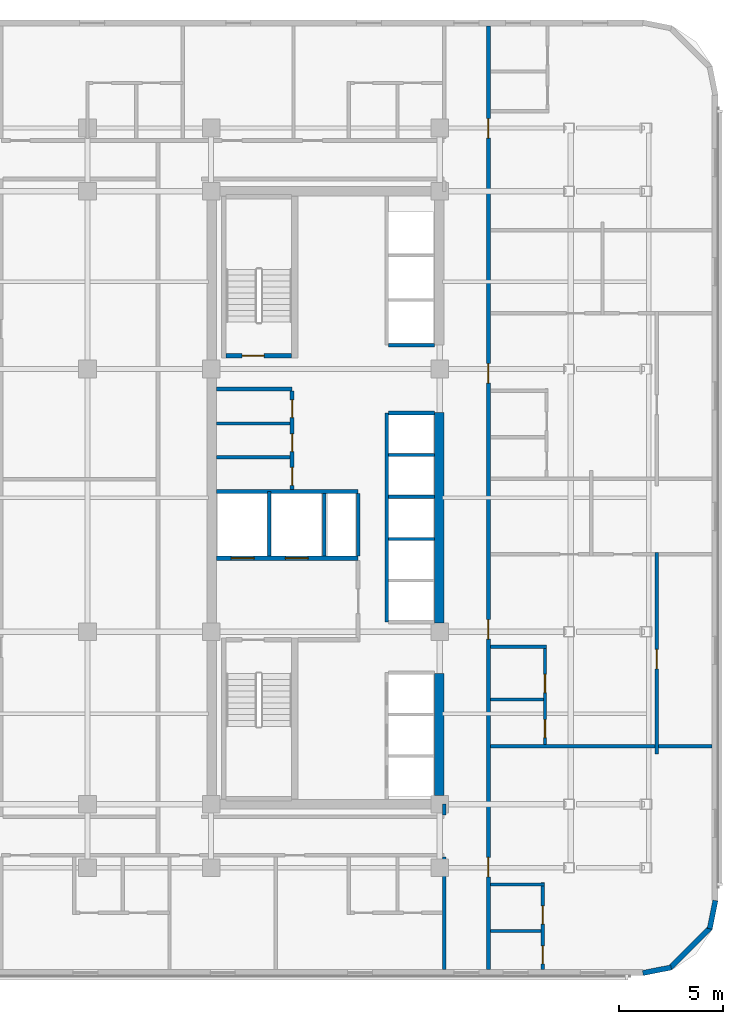
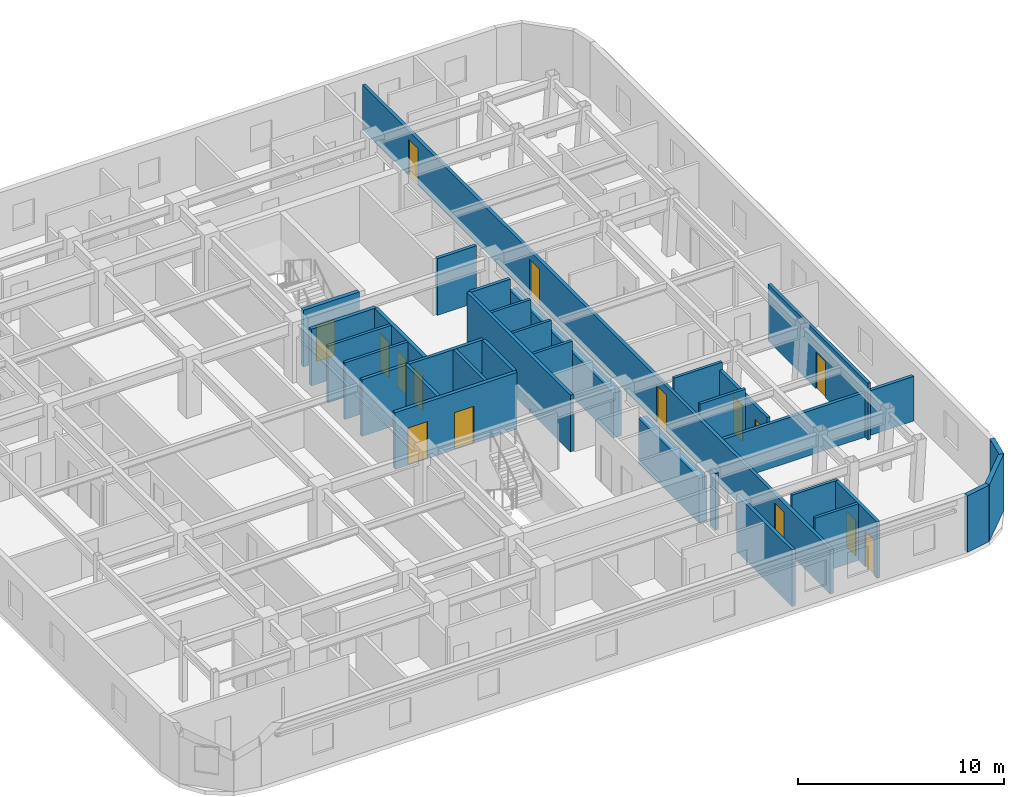
# One storey, part 8 of 14: 32 walls, 15 doors, 15 openings.
"""IFC4 building model written with IfcOpenShell, lengths in metres."""

from ifc_helpers import new_model, si_unit, direction, frame, frame_2d, origin, place, context, subcontext, project, spatial, rectangle, extrude, material, layer, layer_set, type_object, element, fill, save


model = new_model("IFC4")

# Units and contexts
model_context = context("Model", 3, precision=1e-05, world=origin(), true_north=direction((0.0, 1.0)))
body_context = subcontext(model_context, "Body", "Model", "MODEL_VIEW")
ifc_project = project(units=[si_unit("LENGTHUNIT", "METRE"), si_unit("AREAUNIT", "SQUARE_METRE"), si_unit("VOLUMEUNIT", "CUBIC_METRE"), si_unit("PLANEANGLEUNIT", "RADIAN"), si_unit("MASSUNIT", "GRAM", prefix="KILO")], contexts=[model_context])

# Site, building, storey
site_placement = place(None, origin())
site = spatial("IfcSite", under=ifc_project, at=site_placement, CompositionType="ELEMENT")
building_placement = place(site_placement, origin())
building = spatial("IfcBuilding", under=site, at=building_placement, Name="Ochreholt Gables", CompositionType="ELEMENT")
storey_placement = place(building_placement, frame((0.0, 0.0, 42.0)))
storey = spatial("IfcBuildingStorey", under=building, at=storey_placement, Name="L10", CompositionType="ELEMENT", Elevation=42.0)

# Walls
ifc_material_1 = material(Name="Concrete 60 MPa", Category="concrete")
ifc_layer_1 = layer(ifc_material_1, 0.449951171875, Name="Concrete 60 MPa")
ifc_layer_set_1 = layer_set([ifc_layer_1], Name="Concrete 60 MPa")
wall_type_1 = type_object("IfcWallType", Name="WALL-CSW-450", PredefinedType="SHEAR", material=ifc_layer_set_1)
wall_1_placement = place(storey_placement, frame((35.175048828125, 9.675048828125, 0.0), z_axis=(0.0, 0.0, 1.0), x_axis=(0.0, 1.0, 0.0)))
element("IfcWall", 1, at=wall_1_placement, inside=storey, type_object=wall_type_1, Name="L10 Core South-East Shear Wall", PredefinedType="SHEAR", context=body_context, shape_type="SweptSolid", body=[
    extrude(rectangle(XDim=5.875, YDim=0.449951171875, at=frame_2d((2.9375, 0.0))), origin(), (0.0, 0.0, 1.0), 2.6669921875),
])
wall_2_placement = place(storey_placement, frame((35.175048828125, 17.97509765625, 0.0), z_axis=(0.0, 0.0, 1.0), x_axis=(0.0, 1.0, 0.0)))
element("IfcWall", 2, at=wall_2_placement, inside=storey, type_object=wall_type_1, Name="L10 Core Central-East Shear Wall", PredefinedType="SHEAR", context=body_context, shape_type="SweptSolid", body=[
    extrude(rectangle(XDim=10.125, YDim=0.449951171875, at=frame_2d((5.0625, 0.0))), origin(), (0.0, 0.0, 1.0), 2.6669921875),
])
ifc_material_2 = material(Name="Precast concrete 40 MPa", Category="concrete")
ifc_layer_2 = layer(ifc_material_2, 0.25, Name="Precast concrete 40 MPa")
ifc_layer_set_2 = layer_set([ifc_layer_2], Name="Precast concrete 40 MPa")
wall_type_2 = type_object("IfcWallType", Name="WALL-EXT-CNR", PredefinedType="SOLIDWALL", material=ifc_layer_set_2)
wall_3_placement = place(storey_placement, frame((44.9833984375, 1.124267578125, 0.0), z_axis=(0.0, 0.0, 1.0), x_axis=(0.980809899341, 0.19496651342, 0.0)))
element("IfcWall", 3, at=wall_3_placement, inside=storey, type_object=wall_type_2, Name="L10 Rounded Corner Wall SE-1", PredefinedType="SOLIDWALL", context=body_context, shape_type="SweptSolid", body=[
    extrude(rectangle(XDim=1.388671875, YDim=0.25, at=frame_2d((0.6943359375, 0.0))), origin(), (0.0, 0.0, 1.0), 3.360107421875),
])
wall_4_placement = place(storey_placement, frame((46.294921875, 1.367919921875, 0.0), z_axis=(0.0, 0.0, 1.0), x_axis=(0.707106781187, 0.707106781187, 0.0)))
element("IfcWall", 4, at=wall_4_placement, inside=storey, type_object=wall_type_2, Name="L10 Rounded Corner Wall SE-2", PredefinedType="SOLIDWALL", context=body_context, shape_type="SweptSolid", body=[
    extrude(rectangle(XDim=2.7392578125, YDim=0.25, at=frame_2d((1.36962890625, 0.0))), origin(), (0.0, 0.0, 1.0), 3.360107421875),
])
wall_5_placement = place(storey_placement, frame((48.205078125, 3.25439453125, 0.0), z_axis=(0.0, 0.0, 1.0), x_axis=(0.19496651342, 0.980809899341, 0.0)))
element("IfcWall", 5, at=wall_5_placement, inside=storey, type_object=wall_type_2, Name="L10 Rounded Corner Wall SE-3", PredefinedType="SOLIDWALL", context=body_context, shape_type="SweptSolid", body=[
    extrude(rectangle(XDim=1.388671875, YDim=0.25, at=frame_2d((0.6943359375, 0.0))), origin(), (0.0, 0.0, 1.0), 3.360107421875),
])

# Wall, openings, doors
ifc_material_3 = material(Name="Concrete 40 MPa", Category="concrete")
ifc_layer_3 = layer(ifc_material_3, 0.199951171875, Name="Concrete 40 MPa")
ifc_layer_set_3 = layer_set([ifc_layer_3], Name="Concrete 40 MPa")
wall_type_3 = type_object("IfcWallType", Name="WALL-INT-CF200", PredefinedType="STANDARD", material=ifc_layer_set_3)
wall_6_placement = place(storey_placement, frame((24.449951171875, 21.090087890625, 0.0), z_axis=(0.0, 0.0, 1.0), x_axis=(1.0, 0.0, 0.0)))
wall_6 = element("IfcWall", 6, at=wall_6_placement, inside=storey, type_object=wall_type_3, Name="L10 Interior Wall WI-FFN-L10", PredefinedType="STANDARD", context=body_context, shape_type="SweptSolid", body=[
    extrude(rectangle(XDim=6.830078125, YDim=0.199951171875, at=frame_2d((3.4150390625, 0.0))), origin(), (0.0, 0.0, 1.0), 3.360107421875),
])
opening_1_placement = place(wall_6_placement, frame((0.719970703125, 0.0, 0.0)))
opening_1 = element("IfcOpeningElement", 7, at=opening_1_placement, cuts=wall_6, Name="Opening LD-FF", PredefinedType="OPENING", context=body_context, shape_type="SweptSolid", body=[
    extrude(rectangle(XDim=1.10009765625, YDim=2.199951171875, at=frame_2d((0.550048828125, 1.10009765625))), frame((0.0, 0.10986328125, 0.0), z_axis=(0.0, -1.0, 0.0), x_axis=(1.0, 0.0, 0.0)), (0.0, 0.0, 1.0), 0.219970703125),
])
opening_2_placement = place(wall_6_placement, frame((3.320068359375, 0.0, 0.0)))
opening_2 = element("IfcOpeningElement", 8, at=opening_2_placement, cuts=wall_6, Name="Opening LD-FF", PredefinedType="OPENING", context=body_context, shape_type="SweptSolid", body=[
    extrude(rectangle(XDim=1.10009765625, YDim=2.199951171875, at=frame_2d((0.550048828125, 1.10009765625))), frame((0.0, 0.10986328125, 0.0), z_axis=(0.0, -1.0, 0.0), x_axis=(1.0, 0.0, 0.0)), (0.0, 0.0, 1.0), 0.219970703125),
])
ifc_material_4 = material(Name="Stainless Steel", Category="steel")
door_type_1 = type_object("IfcDoorType", Name="DR-LFT-FF1100", OperationType="NOTDEFINED", PredefinedType="DOOR", material=ifc_material_4)
door_1_placement = place(opening_1_placement, origin())
door_1 = element("IfcDoor", 9, at=door_1_placement, inside=storey, type_object=door_type_1, Name="L10 Door LD-FF1-L10", OperationType="SLIDING_TO_LEFT", OverallHeight=2.199951171875, OverallWidth=1.10009765625, PredefinedType="DOOR", context=body_context, shape_type="SweptSolid", body=[
    extrude(rectangle(XDim=1.10009765625, YDim=2.199951171875, at=frame_2d((0.550048828125, 1.10009765625))), frame((0.0, 0.02490234375, 0.0), z_axis=(0.0, -1.0, 0.0), x_axis=(1.0, 0.0, 0.0)), (0.0, 0.0, 1.0), 0.050048828125),
])
fill(opening_1, door_1)
door_2_placement = place(opening_2_placement, origin())
door_2 = element("IfcDoor", 10, at=door_2_placement, inside=storey, type_object=door_type_1, Name="L10 Door LD-FF2-L10", OperationType="SLIDING_TO_LEFT", OverallHeight=2.199951171875, OverallWidth=1.10009765625, PredefinedType="DOOR", context=body_context, shape_type="SweptSolid", body=[
    extrude(rectangle(XDim=1.10009765625, YDim=2.199951171875, at=frame_2d((0.550048828125, 1.10009765625))), frame((0.0, 0.02490234375, 0.0), z_axis=(0.0, -1.0, 0.0), x_axis=(1.0, 0.0, 0.0)), (0.0, 0.0, 1.0), 0.050048828125),
])
fill(opening_2, door_2)

# Wall
wall_7_placement = place(storey_placement, frame((24.449951171875, 29.239990234375, 0.0), z_axis=(0.0, 0.0, 1.0), x_axis=(1.0, 0.0, 0.0)))
element("IfcWall", 11, at=wall_7_placement, inside=storey, type_object=wall_type_3, Name="L10 Interior Wall WI-SRVN-L10", PredefinedType="STANDARD", context=body_context, shape_type="SweptSolid", body=[
    extrude(rectangle(XDim=3.650146484375, YDim=0.199951171875, at=frame_2d((1.8251953125, 0.0))), origin(), (0.0, 0.0, 1.0), 3.360107421875),
])

# Wall, openings, doors
wall_8_placement = place(storey_placement, frame((28.10009765625, 24.389892578125, 0.0), z_axis=(0.0, 0.0, 1.0), x_axis=(0.0, 1.0, 0.0)))
wall_8 = element("IfcWall", 12, at=wall_8_placement, inside=storey, type_object=wall_type_3, Name="L10 Interior Wall WI-SRVE-L10", PredefinedType="STANDARD", context=body_context, shape_type="SweptSolid", body=[
    extrude(rectangle(XDim=4.75, YDim=0.199951171875, at=frame_2d((2.375, 0.0))), origin(), (0.0, 0.0, 1.0), 3.360107421875),
])
opening_3_placement = place(wall_8_placement, frame((0.2099609375, 0.0, 0.0)))
opening_3 = element("IfcOpeningElement", 13, at=opening_3_placement, cuts=wall_8, Name="Opening D-SV2", PredefinedType="OPENING", context=body_context, shape_type="SweptSolid", body=[
    extrude(rectangle(XDim=0.860107421875, YDim=2.10009765625, at=frame_2d((0.43017578125, 1.050048828125))), frame((0.0, 0.10986328125, 0.0), z_axis=(0.0, -1.0, 0.0), x_axis=(1.0, 0.0, 0.0)), (0.0, 0.0, 1.0), 0.219970703125),
])
opening_4_placement = place(wall_8_placement, frame((1.830078125, 0.0, 0.0)))
opening_4 = element("IfcOpeningElement", 14, at=opening_4_placement, cuts=wall_8, Name="Opening D-SV2", PredefinedType="OPENING", context=body_context, shape_type="SweptSolid", body=[
    extrude(rectangle(XDim=0.860107421875, YDim=2.10009765625, at=frame_2d((0.43017578125, 1.050048828125))), frame((0.0, 0.10986328125, 0.0), z_axis=(0.0, -1.0, 0.0), x_axis=(1.0, 0.0, 0.0)), (0.0, 0.0, 1.0), 0.219970703125),
])
opening_5_placement = place(wall_8_placement, frame((3.469970703125, 0.0, 0.0)))
opening_5 = element("IfcOpeningElement", 15, at=opening_5_placement, cuts=wall_8, Name="Opening D-SV2", PredefinedType="OPENING", context=body_context, shape_type="SweptSolid", body=[
    extrude(rectangle(XDim=0.860107421875, YDim=2.10009765625, at=frame_2d((0.43017578125, 1.050048828125))), frame((0.0, 0.10986328125, 0.0), z_axis=(0.0, -1.0, 0.0), x_axis=(1.0, 0.0, 0.0)), (0.0, 0.0, 1.0), 0.219970703125),
])
ifc_material_5 = material(Name="Hollow Metal Steel", Category="steel")
door_type_2 = type_object("IfcDoorType", Name="DR-INT-SRV860", OperationType="NOTDEFINED", PredefinedType="DOOR", material=ifc_material_5)
door_3_placement = place(opening_3_placement, origin())
door_3 = element("IfcDoor", 16, at=door_3_placement, inside=storey, type_object=door_type_2, Name="L10 Door D-SRV1-L10", OperationType="SINGLE_SWING_LEFT", OverallHeight=2.10009765625, OverallWidth=0.860107421875, PredefinedType="DOOR", context=body_context, shape_type="SweptSolid", body=[
    extrude(rectangle(XDim=0.860107421875, YDim=2.10009765625, at=frame_2d((0.43017578125, 1.050048828125))), frame((0.0, 0.02490234375, 0.0), z_axis=(0.0, -1.0, 0.0), x_axis=(1.0, 0.0, 0.0)), (0.0, 0.0, 1.0), 0.050048828125),
])
fill(opening_3, door_3)
door_4_placement = place(opening_4_placement, origin())
door_4 = element("IfcDoor", 17, at=door_4_placement, inside=storey, type_object=door_type_2, Name="L10 Door D-SRV2-L10", OperationType="SINGLE_SWING_RIGHT", OverallHeight=2.10009765625, OverallWidth=0.860107421875, PredefinedType="DOOR", context=body_context, shape_type="SweptSolid", body=[
    extrude(rectangle(XDim=0.860107421875, YDim=2.10009765625, at=frame_2d((0.43017578125, 1.050048828125))), frame((0.0, 0.02490234375, 0.0), z_axis=(0.0, -1.0, 0.0), x_axis=(1.0, 0.0, 0.0)), (0.0, 0.0, 1.0), 0.050048828125),
])
fill(opening_4, door_4)
door_5_placement = place(opening_5_placement, origin())
door_5 = element("IfcDoor", 18, at=door_5_placement, inside=storey, type_object=door_type_2, Name="L10 Door D-SRV3-L10", OperationType="SINGLE_SWING_LEFT", OverallHeight=2.10009765625, OverallWidth=0.860107421875, PredefinedType="DOOR", context=body_context, shape_type="SweptSolid", body=[
    extrude(rectangle(XDim=0.860107421875, YDim=2.10009765625, at=frame_2d((0.43017578125, 1.050048828125))), frame((0.0, 0.02490234375, 0.0), z_axis=(0.0, -1.0, 0.0), x_axis=(1.0, 0.0, 0.0)), (0.0, 0.0, 1.0), 0.050048828125),
])
fill(opening_5, door_5)

ifc_material_6 = material(Name="Fire-Rated Gypsum Acoustic Partition", Category="gypsum")
ifc_layer_4 = layer(ifc_material_6, 0.179931640625, Name="Fire-Rated Gypsum Acoustic Partition")
ifc_layer_set_4 = layer_set([ifc_layer_4], Name="Fire-Rated Gypsum Acoustic Partition")
wall_type_4 = type_object("IfcWallType", Name="WALL-INT-CR180", PredefinedType="STANDARD", material=ifc_layer_set_4)
wall_9_placement = place(storey_placement, frame((37.550048828125, 1.2900390625, 0.0), z_axis=(0.0, 0.0, 1.0), x_axis=(0.0, 1.0, 0.0)))
wall_9 = element("IfcWall", 19, at=wall_9_placement, inside=storey, type_object=wall_type_4, Name="L10 Interior Wall WI-C1E-L10", PredefinedType="STANDARD", context=body_context, shape_type="SweptSolid", body=[
    extrude(rectangle(XDim=45.419921875, YDim=0.179931640625, at=frame_2d((22.7099609375, 0.0))), origin(), (0.0, 0.0, 1.0), 2.64892578125),
])
opening_6_placement = place(wall_9_placement, frame((4.4599609375, 0.0, 0.0)))
opening_6 = element("IfcOpeningElement", 20, at=opening_6_placement, cuts=wall_9, Name="Opening D-UN2", PredefinedType="OPENING", context=body_context, shape_type="SweptSolid", body=[
    extrude(rectangle(XDim=0.93994140625, YDim=2.14990234375, at=frame_2d((0.469970703125, 1.074951171875))), frame((0.0, 0.099853515625, 0.0), z_axis=(0.0, -1.0, 0.0), x_axis=(1.0, 0.0, 0.0)), (0.0, 0.0, 1.0), 0.199951171875),
])
opening_7_placement = place(wall_9_placement, frame((15.906982421875, 0.0, 0.0)))
opening_7 = element("IfcOpeningElement", 21, at=opening_7_placement, cuts=wall_9, Name="Opening D-UN2", PredefinedType="OPENING", context=body_context, shape_type="SweptSolid", body=[
    extrude(rectangle(XDim=0.93994140625, YDim=2.14990234375, at=frame_2d((0.469970703125, 1.074951171875))), frame((0.0, 0.099853515625, 0.0), z_axis=(0.0, -1.0, 0.0), x_axis=(1.0, 0.0, 0.0)), (0.0, 0.0, 1.0), 0.199951171875),
])
opening_8_placement = place(wall_9_placement, frame((28.22998046875, 0.0, 0.0)))
opening_8 = element("IfcOpeningElement", 22, at=opening_8_placement, cuts=wall_9, Name="Opening D-UN2", PredefinedType="OPENING", context=body_context, shape_type="SweptSolid", body=[
    extrude(rectangle(XDim=0.93994140625, YDim=2.14990234375, at=frame_2d((0.469970703125, 1.074951171875))), frame((0.0, 0.099853515625, 0.0), z_axis=(0.0, -1.0, 0.0), x_axis=(1.0, 0.0, 0.0)), (0.0, 0.0, 1.0), 0.199951171875),
])
opening_9_placement = place(wall_9_placement, frame((40.02001953125, 0.0, 0.0)))
opening_9 = element("IfcOpeningElement", 23, at=opening_9_placement, cuts=wall_9, Name="Opening D-UN2", PredefinedType="OPENING", context=body_context, shape_type="SweptSolid", body=[
    extrude(rectangle(XDim=0.93994140625, YDim=2.14990234375, at=frame_2d((0.469970703125, 1.074951171875))), frame((0.0, 0.099853515625, 0.0), z_axis=(0.0, -1.0, 0.0), x_axis=(1.0, 0.0, 0.0)), (0.0, 0.0, 1.0), 0.199951171875),
])
ifc_material_7 = material(Name="Engineered Oak Timber", Category="wood")
door_type_3 = type_object("IfcDoorType", Name="DR-INT-UNT940", OperationType="NOTDEFINED", PredefinedType="DOOR", material=ifc_material_7)
door_6_placement = place(opening_6_placement, origin())
door_6 = element("IfcDoor", 24, at=door_6_placement, inside=storey, type_object=door_type_3, Name="L10 Door D-U-L10E1-ENT", OperationType="SINGLE_SWING_RIGHT", OverallHeight=2.14990234375, OverallWidth=0.93994140625, PredefinedType="DOOR", context=body_context, shape_type="SweptSolid", body=[
    extrude(rectangle(XDim=0.93994140625, YDim=2.14990234375, at=frame_2d((0.469970703125, 1.074951171875))), frame((0.0, 0.02490234375, 0.0), z_axis=(0.0, -1.0, 0.0), x_axis=(1.0, 0.0, 0.0)), (0.0, 0.0, 1.0), 0.050048828125),
])
fill(opening_6, door_6)
door_7_placement = place(opening_7_placement, origin())
door_7 = element("IfcDoor", 25, at=door_7_placement, inside=storey, type_object=door_type_3, Name="L10 Door D-U-L10E2-ENT", OperationType="SINGLE_SWING_LEFT", OverallHeight=2.14990234375, OverallWidth=0.93994140625, PredefinedType="DOOR", context=body_context, shape_type="SweptSolid", body=[
    extrude(rectangle(XDim=0.93994140625, YDim=2.14990234375, at=frame_2d((0.469970703125, 1.074951171875))), frame((0.0, 0.02490234375, 0.0), z_axis=(0.0, -1.0, 0.0), x_axis=(1.0, 0.0, 0.0)), (0.0, 0.0, 1.0), 0.050048828125),
])
fill(opening_7, door_7)
door_8_placement = place(opening_8_placement, origin())
door_8 = element("IfcDoor", 26, at=door_8_placement, inside=storey, type_object=door_type_3, Name="L10 Door D-U-L10E3-ENT", OperationType="SINGLE_SWING_RIGHT", OverallHeight=2.14990234375, OverallWidth=0.93994140625, PredefinedType="DOOR", context=body_context, shape_type="SweptSolid", body=[
    extrude(rectangle(XDim=0.93994140625, YDim=2.14990234375, at=frame_2d((0.469970703125, 1.074951171875))), frame((0.0, 0.02490234375, 0.0), z_axis=(0.0, -1.0, 0.0), x_axis=(1.0, 0.0, 0.0)), (0.0, 0.0, 1.0), 0.050048828125),
])
fill(opening_8, door_8)
door_9_placement = place(opening_9_placement, origin())
door_9 = element("IfcDoor", 27, at=door_9_placement, inside=storey, type_object=door_type_3, Name="L10 Door D-U-L10E4-ENT", OperationType="SINGLE_SWING_LEFT", OverallHeight=2.14990234375, OverallWidth=0.93994140625, PredefinedType="DOOR", context=body_context, shape_type="SweptSolid", body=[
    extrude(rectangle(XDim=0.93994140625, YDim=2.14990234375, at=frame_2d((0.469970703125, 1.074951171875))), frame((0.0, 0.02490234375, 0.0), z_axis=(0.0, -1.0, 0.0), x_axis=(1.0, 0.0, 0.0)), (0.0, 0.0, 1.0), 0.050048828125),
])
fill(opening_9, door_9)

# Walls
wall_10_placement = place(storey_placement, frame((35.419921875, 8.739990234375, 0.0), z_axis=(0.0, 0.0, 1.0), x_axis=(0.0, 1.0, 0.0)))
element("IfcWall", 28, at=wall_10_placement, inside=storey, type_object=wall_type_4, Name="L10 Interior Wall WI-C1ESW2-L10", PredefinedType="STANDARD", context=body_context, shape_type="SweptSolid", body=[
    extrude(rectangle(XDim=0.510009765625, YDim=0.179931640625, at=frame_2d((0.2548828125, 0.0))), origin(), (0.0, 0.0, 1.0), 3.360107421875),
])
ifc_material_8 = material(Name="Double-Stud Acoustic Demising Wall", Category="gypsum")
ifc_layer_5 = layer(ifc_material_8, 0.179931640625, Name="Double-Stud Acoustic Demising Wall")
ifc_layer_set_5 = layer_set([ifc_layer_5], Name="Double-Stud Acoustic Demising Wall")
wall_type_5 = type_object("IfcWallType", Name="WALL-INT-DM180", PredefinedType="PARTITIONING", material=ifc_layer_set_5)
wall_11_placement = place(storey_placement, frame((35.419921875, 1.2900390625, 0.0), z_axis=(0.0, 0.0, 1.0), x_axis=(0.0, 1.0, 0.0)))
element("IfcWall", 29, at=wall_11_placement, inside=storey, type_object=wall_type_5, Name="L10 Interior Wall WI-C1ESW-L10", PredefinedType="PARTITIONING", context=body_context, shape_type="SweptSolid", body=[
    extrude(rectangle(XDim=5.419921875, YDim=0.179931640625, at=frame_2d((2.7099609375, 0.0))), origin(), (0.0, 0.0, 1.0), 3.360107421875),
])
wall_12_placement = place(storey_placement, frame((37.639892578125, 12.0400390625, 0.0), z_axis=(0.0, 0.0, 1.0), x_axis=(1.0, 0.0, 0.0)))
element("IfcWall", 30, at=wall_12_placement, inside=storey, type_object=wall_type_5, Name="L10 Interior Wall WI-UDE2-L10", PredefinedType="PARTITIONING", context=body_context, shape_type="SweptSolid", body=[
    extrude(rectangle(XDim=10.670166015625, YDim=0.179931640625, at=frame_2d((5.3349609375, 0.0))), origin(), (0.0, 0.0, 1.0), 2.64892578125),
])
ifc_material_9 = material(Name="Moisture-Resistant Plumbing Chase Wall", Category="gypsum")
ifc_layer_6 = layer(ifc_material_9, 0.159912109375, Name="Moisture-Resistant Plumbing Chase Wall")
ifc_layer_set_6 = layer_set([ifc_layer_6], Name="Moisture-Resistant Plumbing Chase Wall")
wall_type_6 = type_object("IfcWallType", Name="WALL-INT-PL160", PredefinedType="PLUMBINGWALL", material=ifc_layer_set_6)
wall_13_placement = place(storey_placement, frame((37.639892578125, 5.389892578125, 0.0), z_axis=(0.0, 0.0, 1.0), x_axis=(1.0, 0.0, 0.0)))
element("IfcWall", 31, at=wall_13_placement, inside=storey, type_object=wall_type_6, Name="L10 Interior Wall WU-L10E1-WYN", PredefinedType="PLUMBINGWALL", context=body_context, shape_type="SweptSolid", body=[
    extrude(rectangle(XDim=2.606201171875, YDim=0.159912109375, at=frame_2d((1.30322265625, 0.0))), origin(), (0.0, 0.0, 1.0), 3.360107421875),
])

# Wall, openings, doors
wall_14_placement = place(storey_placement, frame((40.166015625, 1.2900390625, 0.0), z_axis=(0.0, 0.0, 1.0), x_axis=(0.0, 1.0, 0.0)))
wall_14 = element("IfcWall", 32, at=wall_14_placement, inside=storey, type_object=wall_type_6, Name="L10 Interior Wall WU-L10E1-WX", PredefinedType="PLUMBINGWALL", context=body_context, shape_type="SweptSolid", body=[
    extrude(rectangle(XDim=4.18994140625, YDim=0.159912109375, at=frame_2d((2.094970703125, 0.0))), origin(), (0.0, 0.0, 1.0), 3.360107421875),
])
opening_10_placement = place(wall_14_placement, frame((0.280029296875, 0.0, 0.0)))
opening_10 = element("IfcOpeningElement", 33, at=opening_10_placement, cuts=wall_14, Name="Opening D-BT1", PredefinedType="OPENING", context=body_context, shape_type="SweptSolid", body=[
    extrude(rectangle(XDim=0.860107421875, YDim=2.1201171875, at=frame_2d((0.43017578125, 1.06005859375))), frame((0.0, 0.08984375, 0.0), z_axis=(0.0, -1.0, 0.0), x_axis=(1.0, 0.0, 0.0)), (0.0, 0.0, 1.0), 0.179931640625),
])
opening_11_placement = place(wall_14_placement, frame((2.18896484375, 0.0, 0.0)))
opening_11 = element("IfcOpeningElement", 34, at=opening_11_placement, cuts=wall_14, Name="Opening D-GN2", PredefinedType="OPENING", context=body_context, shape_type="SweptSolid", body=[
    extrude(rectangle(XDim=0.8798828125, YDim=2.1201171875, at=frame_2d((0.43994140625, 1.06005859375))), frame((0.0, 0.08984375, 0.0), z_axis=(0.0, -1.0, 0.0), x_axis=(1.0, 0.0, 0.0)), (0.0, 0.0, 1.0), 0.179931640625),
])
door_type_4 = type_object("IfcDoorType", Name="DR-INT-BTH860", OperationType="NOTDEFINED", PredefinedType="DOOR", material=ifc_material_7)
door_10_placement = place(opening_10_placement, origin())
door_10 = element("IfcDoor", 35, at=door_10_placement, inside=storey, type_object=door_type_4, Name="L10 Door D-U-L10E1-BTH", OperationType="SINGLE_SWING_LEFT", OverallHeight=2.1201171875, OverallWidth=0.860107421875, PredefinedType="DOOR", context=body_context, shape_type="SweptSolid", body=[
    extrude(rectangle(XDim=0.860107421875, YDim=2.1201171875, at=frame_2d((0.43017578125, 1.06005859375))), frame((0.0, 0.02490234375, 0.0), z_axis=(0.0, -1.0, 0.0), x_axis=(1.0, 0.0, 0.0)), (0.0, 0.0, 1.0), 0.050048828125),
])
fill(opening_10, door_10)
door_type_5 = type_object("IfcDoorType", Name="DR-INT-GEN880", OperationType="NOTDEFINED", PredefinedType="DOOR", material=ifc_material_7)
door_11_placement = place(opening_11_placement, origin())
door_11 = element("IfcDoor", 36, at=door_11_placement, inside=storey, type_object=door_type_5, Name="L10 Door D-U-L10E1-KIT", OperationType="SINGLE_SWING_RIGHT", OverallHeight=2.1201171875, OverallWidth=0.8798828125, PredefinedType="DOOR", context=body_context, shape_type="SweptSolid", body=[
    extrude(rectangle(XDim=0.8798828125, YDim=2.1201171875, at=frame_2d((0.43994140625, 1.06005859375))), frame((0.0, 0.02490234375, 0.0), z_axis=(0.0, -1.0, 0.0), x_axis=(1.0, 0.0, 0.0)), (0.0, 0.0, 1.0), 0.050048828125),
])
fill(opening_11, door_11)

# Walls
wall_15_placement = place(storey_placement, frame((37.639892578125, 3.14892578125, 0.0), z_axis=(0.0, 0.0, 1.0), x_axis=(1.0, 0.0, 0.0)))
element("IfcWall", 37, at=wall_15_placement, inside=storey, type_object=wall_type_6, Name="L10 Interior Wall WU-L10E1-WM", PredefinedType="PLUMBINGWALL", context=body_context, shape_type="SweptSolid", body=[
    extrude(rectangle(XDim=2.446044921875, YDim=0.159912109375, at=frame_2d((1.22314453125, 0.0))), origin(), (0.0, 0.0, 1.0), 3.360107421875),
])
wall_16_placement = place(storey_placement, frame((37.639892578125, 16.8369140625, 0.0), z_axis=(0.0, 0.0, 1.0), x_axis=(1.0, 0.0, 0.0)))
element("IfcWall", 38, at=wall_16_placement, inside=storey, type_object=wall_type_6, Name="L10 Interior Wall WU-L10E2-FYN", PredefinedType="PLUMBINGWALL", context=body_context, shape_type="SweptSolid", body=[
    extrude(rectangle(XDim=2.712158203125, YDim=0.159912109375, at=frame_2d((1.35595703125, 0.0))), origin(), (0.0, 0.0, 1.0), 3.360107421875),
])

# Wall, openings, doors
wall_17_placement = place(storey_placement, frame((40.27197265625, 12.1298828125, 0.0), z_axis=(0.0, 0.0, 1.0), x_axis=(0.0, 1.0, 0.0)))
wall_17 = element("IfcWall", 39, at=wall_17_placement, inside=storey, type_object=wall_type_6, Name="L10 Interior Wall WU-L10E2-WX", PredefinedType="PLUMBINGWALL", context=body_context, shape_type="SweptSolid", body=[
    extrude(rectangle(XDim=4.797119140625, YDim=0.159912109375, at=frame_2d((2.3984375, 0.0))), origin(), (0.0, 0.0, 1.0), 2.931884765625),
])
opening_12_placement = place(wall_17_placement, frame((0.330078125, 0.0, 0.0)))
opening_12 = element("IfcOpeningElement", 40, at=opening_12_placement, cuts=wall_17, Name="Opening D-BT1", PredefinedType="OPENING", context=body_context, shape_type="SweptSolid", body=[
    extrude(rectangle(XDim=0.860107421875, YDim=2.1201171875, at=frame_2d((0.43017578125, 1.06005859375))), frame((0.0, 0.08984375, 0.0), z_axis=(0.0, -1.0, 0.0), x_axis=(1.0, 0.0, 0.0)), (0.0, 0.0, 1.0), 0.179931640625),
])
opening_13_placement = place(wall_17_placement, frame((2.4951171875, 0.0, 0.0)))
opening_13 = element("IfcOpeningElement", 41, at=opening_13_placement, cuts=wall_17, Name="Opening D-GN2", PredefinedType="OPENING", context=body_context, shape_type="SweptSolid", body=[
    extrude(rectangle(XDim=0.8798828125, YDim=2.1201171875, at=frame_2d((0.43994140625, 1.06005859375))), frame((0.0, 0.08984375, 0.0), z_axis=(0.0, -1.0, 0.0), x_axis=(1.0, 0.0, 0.0)), (0.0, 0.0, 1.0), 0.179931640625),
])
door_12_placement = place(opening_12_placement, origin())
door_12 = element("IfcDoor", 42, at=door_12_placement, inside=storey, type_object=door_type_4, Name="L10 Door D-U-L10E2-BTH", OperationType="SINGLE_SWING_RIGHT", OverallHeight=2.1201171875, OverallWidth=0.860107421875, PredefinedType="DOOR", context=body_context, shape_type="SweptSolid", body=[
    extrude(rectangle(XDim=0.860107421875, YDim=2.1201171875, at=frame_2d((0.43017578125, 1.06005859375))), frame((0.0, 0.02490234375, 0.0), z_axis=(0.0, -1.0, 0.0), x_axis=(1.0, 0.0, 0.0)), (0.0, 0.0, 1.0), 0.050048828125),
])
fill(opening_12, door_12)
door_13_placement = place(opening_13_placement, origin())
door_13 = element("IfcDoor", 43, at=door_13_placement, inside=storey, type_object=door_type_5, Name="L10 Door D-U-L10E2-KIT", OperationType="SINGLE_SWING_LEFT", OverallHeight=2.1201171875, OverallWidth=0.8798828125, PredefinedType="DOOR", context=body_context, shape_type="SweptSolid", body=[
    extrude(rectangle(XDim=0.8798828125, YDim=2.1201171875, at=frame_2d((0.43994140625, 1.06005859375))), frame((0.0, 0.02490234375, 0.0), z_axis=(0.0, -1.0, 0.0), x_axis=(1.0, 0.0, 0.0)), (0.0, 0.0, 1.0), 0.050048828125),
])
fill(opening_13, door_13)

# Walls
wall_18_placement = place(storey_placement, frame((37.639892578125, 14.295166015625, 0.0), z_axis=(0.0, 0.0, 1.0), x_axis=(1.0, 0.0, 0.0)))
element("IfcWall", 44, at=wall_18_placement, inside=storey, type_object=wall_type_6, Name="L10 Interior Wall WU-L10E2-WK", PredefinedType="PLUMBINGWALL", context=body_context, shape_type="SweptSolid", body=[
    extrude(rectangle(XDim=2.552001953125, YDim=0.159912109375, at=frame_2d((1.27587890625, 0.0))), origin(), (0.0, 0.0, 1.0), 3.360107421875),
])
ifc_material_10 = material(Name="Gypsum Acoustic Stud Partition", Category="gypsum")
ifc_layer_7 = layer(ifc_material_10, 0.159912109375, Name="Gypsum Acoustic Stud Partition")
ifc_layer_set_7 = layer_set([ifc_layer_7], Name="Gypsum Acoustic Stud Partition")
wall_type_7 = type_object("IfcWallType", Name="WALL-INT-PT160", PredefinedType="PARTITIONING", material=ifc_layer_set_7)
for number, where, z_axis, x_axis, name in (
    (45, (24.449951171875, 25.949951171875, 0.0), (0.0, 0.0, 1.0), (1.0, 0.0, 0.0), "L10 Interior Wall WI-SRVP1-L10"),
    (46, (24.449951171875, 27.580078125, 0.0), (0.0, 0.0, 1.0), (1.0, 0.0, 0.0), "L10 Interior Wall WI-SRVP2-L10"),
):
    element("IfcWall", number, at=place(storey_placement, frame(where, z_axis=z_axis, x_axis=x_axis)), inside=storey, type_object=wall_type_7, Name=name, PredefinedType="PARTITIONING", context=body_context, shape_type="SweptSolid", body=[
        extrude(rectangle(XDim=3.550048828125, YDim=0.159912109375, at=frame_2d((1.77490234375, 0.0))), origin(), (0.0, 0.0, 1.0), 3.360107421875),
    ])

# Wall, opening, door
wall_19_placement = place(storey_placement, frame((45.64990234375, 11.679931640625, 0.0), z_axis=(0.0, 0.0, 1.0), x_axis=(0.0, 1.0, 0.0)))
wall_19 = element("IfcWall", 47, at=wall_19_placement, inside=storey, type_object=wall_type_7, Name="L10 Interior Wall WU-L10E2-DNV", PredefinedType="PARTITIONING", context=body_context, shape_type="SweptSolid", body=[
    extrude(rectangle(XDim=9.68017578125, YDim=0.159912109375, at=frame_2d((4.840087890625, 0.0))), origin(), (0.0, 0.0, 1.0), 3.360107421875),
])
opening_14_placement = place(wall_19_placement, frame((4.080078125, 0.0, 0.0)))
opening_14 = element("IfcOpeningElement", 48, at=opening_14_placement, cuts=wall_19, Name="Opening D-GN1", PredefinedType="OPENING", context=body_context, shape_type="SweptSolid", body=[
    extrude(rectangle(XDim=0.949951171875, YDim=2.14990234375, at=frame_2d((0.47509765625, 1.074951171875))), frame((0.0, 0.08984375, 0.0), z_axis=(0.0, -1.0, 0.0), x_axis=(1.0, 0.0, 0.0)), (0.0, 0.0, 1.0), 0.179931640625),
])
door_type_6 = type_object("IfcDoorType", Name="DR-INT-GEN950", OperationType="NOTDEFINED", PredefinedType="DOOR", material=ifc_material_7)
door_14_placement = place(opening_14_placement, origin())
door_14 = element("IfcDoor", 49, at=door_14_placement, inside=storey, type_object=door_type_6, Name="L10 Door D-U-L10E2-DIN", OperationType="SINGLE_SWING_RIGHT", OverallHeight=2.14990234375, OverallWidth=0.949951171875, PredefinedType="DOOR", context=body_context, shape_type="SweptSolid", body=[
    extrude(rectangle(XDim=0.949951171875, YDim=2.14990234375, at=frame_2d((0.47509765625, 1.074951171875))), frame((0.0, 0.02490234375, 0.0), z_axis=(0.0, -1.0, 0.0), x_axis=(1.0, 0.0, 0.0)), (0.0, 0.0, 1.0), 0.050048828125),
])
fill(opening_14, door_14)

# Walls
ifc_material_11 = material(Name="Gypsum Shaftliner and Steel Stud", Category="steel")
ifc_layer_8 = layer(ifc_material_11, 0.14990234375, Name="Gypsum Shaftliner and Steel Stud")
ifc_layer_set_8 = layer_set([ifc_layer_8], Name="Gypsum Shaftliner and Steel Stud")
wall_type_8 = type_object("IfcWallType", Name="WALL-INT-SH150", PredefinedType="STANDARD", material=ifc_layer_set_8)
for number, where, z_axis, x_axis, name in (
    (50, (32.739990234375, 22.02001953125, 0.0), (0.0, 0.0, 1.0), (1.0, 0.0, 0.0), "L10 Interior Wall WI-LFHE-DH2-L10"),
    (51, (32.739990234375, 24.050048828125, 0.0), (0.0, 0.0, 1.0), (1.0, 0.0, 0.0), "L10 Interior Wall WI-LFHE-DHE-L10"),
    (52, (32.739990234375, 26.070068359375, 0.0), (0.0, 0.0, 1.0), (1.0, 0.0, 0.0), "L10 Interior Wall WI-LFHE-DEX1-L10"),
):
    element("IfcWall", number, at=place(storey_placement, frame(where, z_axis=z_axis, x_axis=x_axis)), inside=storey, type_object=wall_type_8, Name=name, PredefinedType="STANDARD", context=body_context, shape_type="SweptSolid", body=[
        extrude(rectangle(XDim=2.2099609375, YDim=0.14990234375, at=frame_2d((1.10498046875, 0.0))), origin(), (0.0, 0.0, 1.0), 3.360107421875),
    ])
ifc_layer_9 = layer(ifc_material_11, 0.179931640625, Name="Gypsum Shaftliner and Steel Stud")
ifc_layer_set_9 = layer_set([ifc_layer_9], Name="Gypsum Shaftliner and Steel Stud")
wall_type_9 = type_object("IfcWallType", Name="WALL-INT-SH180", PredefinedType="STANDARD", material=ifc_layer_set_9)
wall_20_placement = place(storey_placement, frame((27.0, 21.18994140625, 0.0), z_axis=(0.0, 0.0, 1.0), x_axis=(0.0, 1.0, 0.0)))
element("IfcWall", 53, at=wall_20_placement, inside=storey, type_object=wall_type_9, Name="L10 Interior Wall WI-FFDIV-L10", PredefinedType="STANDARD", context=body_context, shape_type="SweptSolid", body=[
    extrude(rectangle(XDim=3.110107421875, YDim=0.179931640625, at=frame_2d((1.55517578125, 0.0))), origin(), (0.0, 0.0, 1.0), 3.360107421875),
])
wall_21_placement = place(storey_placement, frame((24.449951171875, 24.300048828125, 0.0), z_axis=(0.0, 0.0, 1.0), x_axis=(1.0, 0.0, 0.0)))
element("IfcWall", 54, at=wall_21_placement, inside=storey, type_object=wall_type_9, Name="L10 Interior Wall WI-FFBK-L10", PredefinedType="STANDARD", context=body_context, shape_type="SweptSolid", body=[
    extrude(rectangle(XDim=6.830078125, YDim=0.179931640625, at=frame_2d((3.4150390625, 0.0))), origin(), (0.0, 0.0, 1.0), 3.360107421875),
])
for number, where, z_axis, x_axis, name in (
    (55, (29.64990234375, 21.18994140625, 0.0), (0.0, 0.0, 1.0), (0.0, 1.0, 0.0), "L10 Interior Wall WI-FFSH-L10"),
    (56, (31.280029296875, 21.18994140625, 0.0), (0.0, 0.0, 1.0), (0.0, 1.0, 0.0), "L10 Interior Wall WI-RSE-L10"),
):
    element("IfcWall", number, at=place(storey_placement, frame(where, z_axis=z_axis, x_axis=x_axis)), inside=storey, type_object=wall_type_9, Name=name, PredefinedType="STANDARD", context=body_context, shape_type="SweptSolid", body=[
        extrude(rectangle(XDim=3.02001953125, YDim=0.179931640625, at=frame_2d((1.510009765625, 0.0))), origin(), (0.0, 0.0, 1.0), 3.360107421875),
    ])
wall_22_placement = place(storey_placement, frame((32.64990234375, 18.02001953125, 0.0), z_axis=(0.0, 0.0, 1.0), x_axis=(0.0, 1.0, 0.0)))
element("IfcWall", 57, at=wall_22_placement, inside=storey, type_object=wall_type_9, Name="L10 Interior Wall WI-LFHE-FR-L10", PredefinedType="STANDARD", context=body_context, shape_type="SweptSolid", body=[
    extrude(rectangle(XDim=10.06005859375, YDim=0.179931640625, at=frame_2d((5.030029296875, 0.0))), origin(), (0.0, 0.0, 1.0), 3.360107421875),
])
for number, where, z_axis, x_axis, name in (
    (58, (32.739990234375, 28.080078125, 0.0), (0.0, 0.0, 1.0), (1.0, 0.0, 0.0), "L10 Interior Wall WI-LFHE-N-L10"),
    (59, (32.739990234375, 31.35009765625, 0.0), (0.0, 0.0, 1.0), (1.0, 0.0, 0.0), "L10 Interior Wall WI-LFM-S-L10"),
):
    element("IfcWall", number, at=place(storey_placement, frame(where, z_axis=z_axis, x_axis=x_axis)), inside=storey, type_object=wall_type_9, Name=name, PredefinedType="STANDARD", context=body_context, shape_type="SweptSolid", body=[
        extrude(rectangle(XDim=2.2099609375, YDim=0.179931640625, at=frame_2d((1.10498046875, 0.0))), origin(), (0.0, 0.0, 1.0), 3.360107421875),
    ])

# Wall, opening, door
ifc_material_12 = material(Name="Concrete 50 MPa", Category="concrete")
ifc_layer_10 = layer(ifc_material_12, 0.219970703125, Name="Concrete 50 MPa")
ifc_layer_set_10 = layer_set([ifc_layer_10], Name="Concrete 50 MPa")
wall_type_10 = type_object("IfcWallType", Name="WALL-STW-220", PredefinedType="SHEAR", material=ifc_layer_set_10)
wall_23_placement = place(storey_placement, frame((24.919921875, 30.830078125, 0.0), z_axis=(0.0, 0.0, 1.0), x_axis=(1.0, 0.0, 0.0)))
wall_23 = element("IfcWall", 60, at=wall_23_placement, inside=storey, type_object=wall_type_10, Name="L10 Exit Stair 2 South Wall", PredefinedType="SHEAR", context=body_context, shape_type="SweptSolid", body=[
    extrude(rectangle(XDim=3.16015625, YDim=0.219970703125, at=frame_2d((1.580078125, 0.0))), origin(), (0.0, 0.0, 1.0), 3.360107421875),
])
opening_15_placement = place(wall_23_placement, frame((0.780029296875, 0.0, 0.0)))
opening_15 = element("IfcOpeningElement", 61, at=opening_15_placement, cuts=wall_23, Name="Opening D-STC", PredefinedType="OPENING", context=body_context, shape_type="SweptSolid", body=[
    extrude(rectangle(XDim=1.050048828125, YDim=2.14990234375, at=frame_2d((0.52490234375, 1.074951171875))), frame((0.0, 0.119873046875, 0.0), z_axis=(0.0, -1.0, 0.0), x_axis=(1.0, 0.0, 0.0)), (0.0, 0.0, 1.0), 0.239990234375),
])
door_type_7 = type_object("IfcDoorType", Name="DR-INT-ST1050", OperationType="NOTDEFINED", PredefinedType="DOOR", material=ifc_material_5)
door_15_placement = place(opening_15_placement, origin())
door_15 = element("IfcDoor", 62, at=door_15_placement, inside=storey, type_object=door_type_7, Name="L10 Door D-ST2-L10", OperationType="SINGLE_SWING_RIGHT", OverallHeight=2.14990234375, OverallWidth=1.050048828125, PredefinedType="DOOR", context=body_context, shape_type="SweptSolid", body=[
    extrude(rectangle(XDim=1.050048828125, YDim=2.14990234375, at=frame_2d((0.52490234375, 1.074951171875))), frame((0.0, 0.02490234375, 0.0), z_axis=(0.0, -1.0, 0.0), x_axis=(1.0, 0.0, 0.0)), (0.0, 0.0, 1.0), 0.050048828125),
])
fill(opening_15, door_15)

save(model, "model.ifc")
